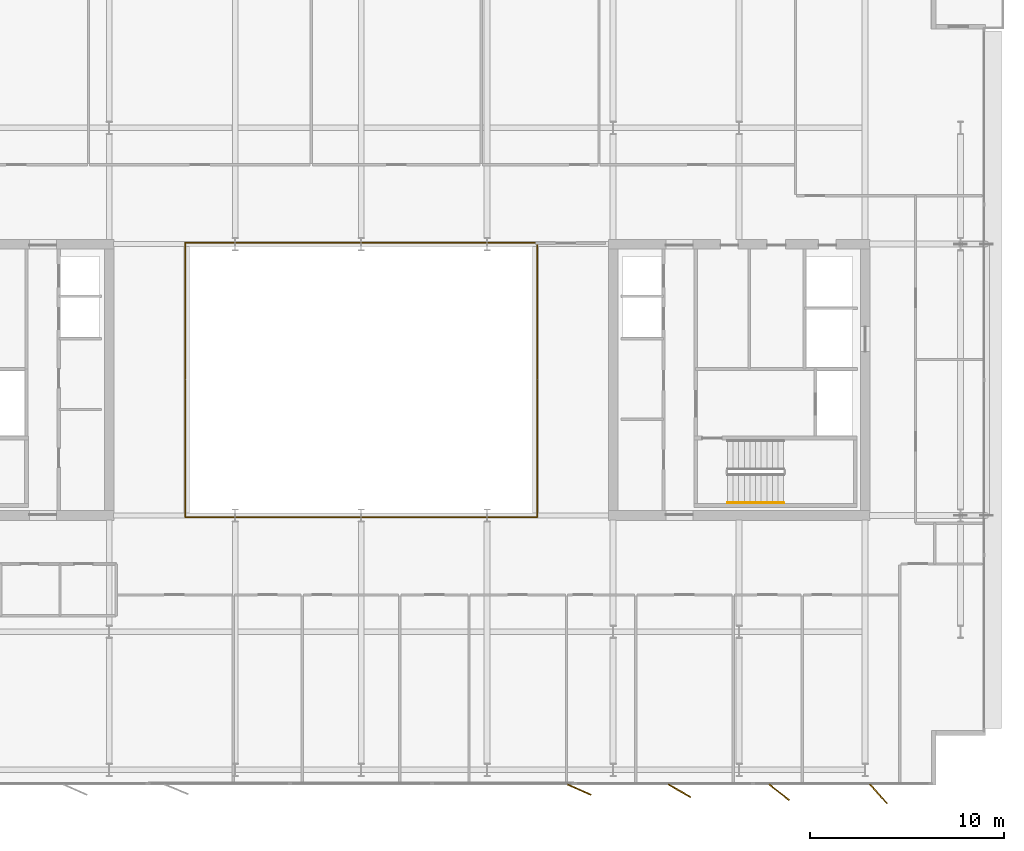
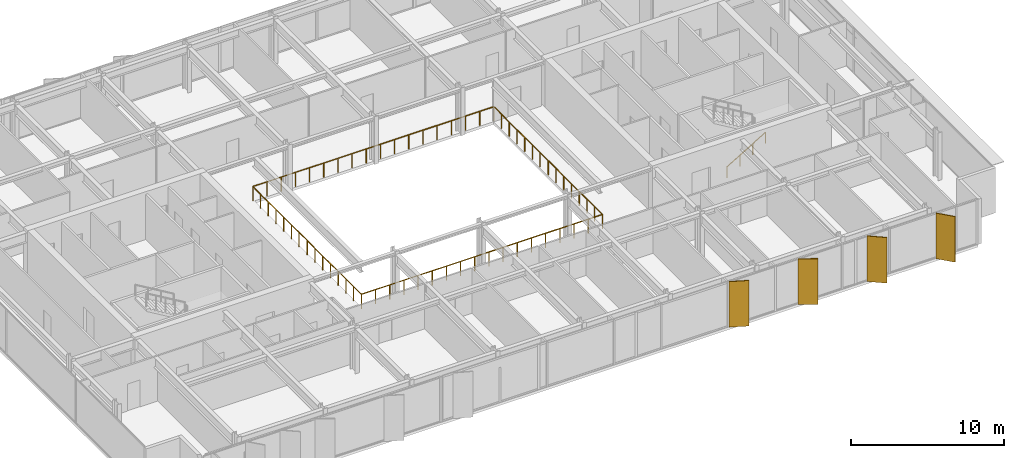
# One storey, part 17 of 19: 4 shading devices, 3 railings.
"""IFC4 building model written with IfcOpenShell, lengths in metres."""

from ifc_helpers import new_model, si_unit, direction, frame, origin, origin_2d, place, context, subcontext, project, spatial, rectangle, circle, extrude, material, layer, layer_set, type_object, element, save


model = new_model("IFC4")

# Units and contexts
model_context = context("Model", 3, precision=1e-05, world=origin(), true_north=direction((0.0, 1.0)))
body_context = subcontext(model_context, "Body", "Model", "MODEL_VIEW")
ifc_project = project(units=[si_unit("LENGTHUNIT", "METRE"), si_unit("AREAUNIT", "SQUARE_METRE"), si_unit("VOLUMEUNIT", "CUBIC_METRE"), si_unit("PLANEANGLEUNIT", "RADIAN"), si_unit("MASSUNIT", "GRAM", prefix="KILO")], contexts=[model_context])

# Site, building, storey
site_placement = place(None, origin())
site = spatial("IfcSite", under=ifc_project, at=site_placement, CompositionType="ELEMENT")
building_placement = place(site_placement, origin())
building = spatial("IfcBuilding", under=site, at=building_placement, Name="Putna Gate Headquarters", CompositionType="ELEMENT")
storey_placement = place(building_placement, frame((0.0, 0.0, 267.0)))
storey = spatial("IfcBuildingStorey", under=building, at=storey_placement, Name="L67", CompositionType="ELEMENT", Elevation=267.0)

# Railings
ifc_material_1 = material(Name="Anodised bronze and laminated glass atrium balustrade", Category="glass")
railing_type_1 = type_object("IfcRailingType", Name="RAIL-ATRIUM-GUARD-1150", PredefinedType="GUARDRAIL", material=ifc_material_1)
railing_1_placement = place(storey_placement, frame((29.919921875, 25.969970703125, 0.0)))
element("IfcRailing", 1, at=railing_1_placement, inside=storey, type_object=railing_type_1, Name="L67 Central Atrium Glazed Balustrade South", PredefinedType="GUARDRAIL", context=body_context, shape_type="SweptSolid", body=[
    extrude(circle(Radius=0.02392578125, at=origin_2d()), frame((0.0, 0.0, 1.1259765625), z_axis=(0.0, -1.0, 0.0), x_axis=(1.0, 0.0, 0.0)), (0.0, 0.0, 1.0), 7.050048828125),
    extrude(circle(Radius=0.02392578125, at=origin_2d()), frame((0.0, -7.050048828125, 1.1259765625), z_axis=(1.0, 0.0, 0.0), x_axis=(0.0, 1.0, 0.0)), (0.0, 0.0, 1.0), 18.16015625),
    extrude(circle(Radius=0.02392578125, at=origin_2d()), frame((18.16015625, -7.050048828125, 1.1259765625), z_axis=(0.0, 1.0, 0.0), x_axis=(-1.0, 0.0, 0.0)), (0.0, 0.0, 1.0), 7.050048828125),
    extrude(circle(Radius=0.02099609375, at=origin_2d()), origin(), (0.0, 0.0, 1.0), 1.101806640625),
    extrude(circle(Radius=0.02099609375, at=origin_2d()), frame((0.0, -1.007080078125, 0.0)), (0.0, 0.0, 1.0), 1.101806640625),
    extrude(circle(Radius=0.02099609375, at=origin_2d()), frame((0.0, -2.014404296875, 0.0)), (0.0, 0.0, 1.0), 1.101806640625),
    extrude(circle(Radius=0.02099609375, at=origin_2d()), frame((0.0, -3.021484375, 0.0)), (0.0, 0.0, 1.0), 1.101806640625),
    extrude(circle(Radius=0.02099609375, at=origin_2d()), frame((0.0, -4.028564453125, 0.0)), (0.0, 0.0, 1.0), 1.101806640625),
    extrude(circle(Radius=0.02099609375, at=origin_2d()), frame((0.0, -5.03564453125, 0.0)), (0.0, 0.0, 1.0), 1.101806640625),
    extrude(circle(Radius=0.02099609375, at=origin_2d()), frame((0.0, -6.04296875, 0.0)), (0.0, 0.0, 1.0), 1.101806640625),
    extrude(circle(Radius=0.02099609375, at=origin_2d()), frame((0.0, -7.050048828125, 0.0)), (0.0, 0.0, 1.0), 1.101806640625),
    extrude(circle(Radius=0.02099609375, at=origin_2d()), frame((1.068359375, -7.050048828125, 0.0)), (0.0, 0.0, 1.0), 1.101806640625),
    extrude(circle(Radius=0.02099609375, at=origin_2d()), frame((2.136474609375, -7.050048828125, 0.0)), (0.0, 0.0, 1.0), 1.101806640625),
    extrude(circle(Radius=0.02099609375, at=origin_2d()), frame((3.204833984375, -7.050048828125, 0.0)), (0.0, 0.0, 1.0), 1.101806640625),
    extrude(circle(Radius=0.02099609375, at=origin_2d()), frame((4.27294921875, -7.050048828125, 0.0)), (0.0, 0.0, 1.0), 1.101806640625),
    extrude(circle(Radius=0.02099609375, at=origin_2d()), frame((5.34130859375, -7.050048828125, 0.0)), (0.0, 0.0, 1.0), 1.101806640625),
    extrude(circle(Radius=0.02099609375, at=origin_2d()), frame((6.409423828125, -7.050048828125, 0.0)), (0.0, 0.0, 1.0), 1.101806640625),
    extrude(circle(Radius=0.02099609375, at=origin_2d()), frame((7.477783203125, -7.050048828125, 0.0)), (0.0, 0.0, 1.0), 1.101806640625),
    extrude(circle(Radius=0.02099609375, at=origin_2d()), frame((8.5458984375, -7.050048828125, 0.0)), (0.0, 0.0, 1.0), 1.101806640625),
    extrude(circle(Radius=0.02099609375, at=origin_2d()), frame((9.6142578125, -7.050048828125, 0.0)), (0.0, 0.0, 1.0), 1.101806640625),
    extrude(circle(Radius=0.02099609375, at=origin_2d()), frame((10.682373046875, -7.050048828125, 0.0)), (0.0, 0.0, 1.0), 1.101806640625),
    extrude(circle(Radius=0.02099609375, at=origin_2d()), frame((11.750732421875, -7.050048828125, 0.0)), (0.0, 0.0, 1.0), 1.101806640625),
    extrude(circle(Radius=0.02099609375, at=origin_2d()), frame((12.81884765625, -7.050048828125, 0.0)), (0.0, 0.0, 1.0), 1.101806640625),
    extrude(circle(Radius=0.02099609375, at=origin_2d()), frame((13.88720703125, -7.050048828125, 0.0)), (0.0, 0.0, 1.0), 1.101806640625),
    extrude(circle(Radius=0.02099609375, at=origin_2d()), frame((14.955322265625, -7.050048828125, 0.0)), (0.0, 0.0, 1.0), 1.101806640625),
    extrude(circle(Radius=0.02099609375, at=origin_2d()), frame((16.023681640625, -7.050048828125, 0.0)), (0.0, 0.0, 1.0), 1.101806640625),
    extrude(circle(Radius=0.02099609375, at=origin_2d()), frame((17.091796875, -7.050048828125, 0.0)), (0.0, 0.0, 1.0), 1.101806640625),
    extrude(circle(Radius=0.02099609375, at=origin_2d()), frame((18.16015625, -7.050048828125, 0.0)), (0.0, 0.0, 1.0), 1.101806640625),
    extrude(circle(Radius=0.02099609375, at=origin_2d()), frame((18.16015625, -6.04296875, 0.0)), (0.0, 0.0, 1.0), 1.101806640625),
    extrude(circle(Radius=0.02099609375, at=origin_2d()), frame((18.16015625, -5.03564453125, 0.0)), (0.0, 0.0, 1.0), 1.101806640625),
    extrude(circle(Radius=0.02099609375, at=origin_2d()), frame((18.16015625, -4.028564453125, 0.0)), (0.0, 0.0, 1.0), 1.101806640625),
    extrude(circle(Radius=0.02099609375, at=origin_2d()), frame((18.16015625, -3.021484375, 0.0)), (0.0, 0.0, 1.0), 1.101806640625),
    extrude(circle(Radius=0.02099609375, at=origin_2d()), frame((18.16015625, -2.014404296875, 0.0)), (0.0, 0.0, 1.0), 1.101806640625),
    extrude(circle(Radius=0.02099609375, at=origin_2d()), frame((18.16015625, -1.007080078125, 0.0)), (0.0, 0.0, 1.0), 1.101806640625),
    extrude(circle(Radius=0.02099609375, at=origin_2d()), frame((18.16015625, 0.0, 0.0)), (0.0, 0.0, 1.0), 1.101806640625),
])
railing_2_placement = place(storey_placement, frame((48.080078125, 26.030029296875, 0.0)))
element("IfcRailing", 2, at=railing_2_placement, inside=storey, type_object=railing_type_1, Name="L67 Central Atrium Glazed Balustrade North", PredefinedType="GUARDRAIL", context=body_context, shape_type="SweptSolid", body=[
    extrude(circle(Radius=0.02392578125, at=origin_2d()), frame((0.0, 0.0, 1.1259765625), z_axis=(0.0, 1.0, 0.0), x_axis=(-1.0, 0.0, 0.0)), (0.0, 0.0, 1.0), 7.050048828125),
    extrude(circle(Radius=0.02392578125, at=origin_2d()), frame((0.0, 7.050048828125, 1.1259765625), z_axis=(-1.0, 0.0, 0.0), x_axis=(0.0, -1.0, 0.0)), (0.0, 0.0, 1.0), 18.16015625),
    extrude(circle(Radius=0.02392578125, at=origin_2d()), frame((-18.16015625, 7.050048828125, 1.1259765625), z_axis=(0.0, -1.0, 0.0), x_axis=(1.0, 0.0, 0.0)), (0.0, 0.0, 1.0), 7.050048828125),
    extrude(circle(Radius=0.02099609375, at=origin_2d()), origin(), (0.0, 0.0, 1.0), 1.101806640625),
    extrude(circle(Radius=0.02099609375, at=origin_2d()), frame((0.0, 1.007080078125, 0.0)), (0.0, 0.0, 1.0), 1.101806640625),
    extrude(circle(Radius=0.02099609375, at=origin_2d()), frame((0.0, 2.014404296875, 0.0)), (0.0, 0.0, 1.0), 1.101806640625),
    extrude(circle(Radius=0.02099609375, at=origin_2d()), frame((0.0, 3.021484375, 0.0)), (0.0, 0.0, 1.0), 1.101806640625),
    extrude(circle(Radius=0.02099609375, at=origin_2d()), frame((0.0, 4.028564453125, 0.0)), (0.0, 0.0, 1.0), 1.101806640625),
    extrude(circle(Radius=0.02099609375, at=origin_2d()), frame((0.0, 5.03564453125, 0.0)), (0.0, 0.0, 1.0), 1.101806640625),
    extrude(circle(Radius=0.02099609375, at=origin_2d()), frame((0.0, 6.04296875, 0.0)), (0.0, 0.0, 1.0), 1.101806640625),
    extrude(circle(Radius=0.02099609375, at=origin_2d()), frame((0.0, 7.050048828125, 0.0)), (0.0, 0.0, 1.0), 1.101806640625),
    extrude(circle(Radius=0.02099609375, at=origin_2d()), frame((-1.068359375, 7.050048828125, 0.0)), (0.0, 0.0, 1.0), 1.101806640625),
    extrude(circle(Radius=0.02099609375, at=origin_2d()), frame((-2.136474609375, 7.050048828125, 0.0)), (0.0, 0.0, 1.0), 1.101806640625),
    extrude(circle(Radius=0.02099609375, at=origin_2d()), frame((-3.204833984375, 7.050048828125, 0.0)), (0.0, 0.0, 1.0), 1.101806640625),
    extrude(circle(Radius=0.02099609375, at=origin_2d()), frame((-4.27294921875, 7.050048828125, 0.0)), (0.0, 0.0, 1.0), 1.101806640625),
    extrude(circle(Radius=0.02099609375, at=origin_2d()), frame((-5.34130859375, 7.050048828125, 0.0)), (0.0, 0.0, 1.0), 1.101806640625),
    extrude(circle(Radius=0.02099609375, at=origin_2d()), frame((-6.409423828125, 7.050048828125, 0.0)), (0.0, 0.0, 1.0), 1.101806640625),
    extrude(circle(Radius=0.02099609375, at=origin_2d()), frame((-7.477783203125, 7.050048828125, 0.0)), (0.0, 0.0, 1.0), 1.101806640625),
    extrude(circle(Radius=0.02099609375, at=origin_2d()), frame((-8.5458984375, 7.050048828125, 0.0)), (0.0, 0.0, 1.0), 1.101806640625),
    extrude(circle(Radius=0.02099609375, at=origin_2d()), frame((-9.6142578125, 7.050048828125, 0.0)), (0.0, 0.0, 1.0), 1.101806640625),
    extrude(circle(Radius=0.02099609375, at=origin_2d()), frame((-10.682373046875, 7.050048828125, 0.0)), (0.0, 0.0, 1.0), 1.101806640625),
    extrude(circle(Radius=0.02099609375, at=origin_2d()), frame((-11.750732421875, 7.050048828125, 0.0)), (0.0, 0.0, 1.0), 1.101806640625),
    extrude(circle(Radius=0.02099609375, at=origin_2d()), frame((-12.81884765625, 7.050048828125, 0.0)), (0.0, 0.0, 1.0), 1.101806640625),
    extrude(circle(Radius=0.02099609375, at=origin_2d()), frame((-13.88720703125, 7.050048828125, 0.0)), (0.0, 0.0, 1.0), 1.101806640625),
    extrude(circle(Radius=0.02099609375, at=origin_2d()), frame((-14.955322265625, 7.050048828125, 0.0)), (0.0, 0.0, 1.0), 1.101806640625),
    extrude(circle(Radius=0.02099609375, at=origin_2d()), frame((-16.023681640625, 7.050048828125, 0.0)), (0.0, 0.0, 1.0), 1.101806640625),
    extrude(circle(Radius=0.02099609375, at=origin_2d()), frame((-17.091796875, 7.050048828125, 0.0)), (0.0, 0.0, 1.0), 1.101806640625),
    extrude(circle(Radius=0.02099609375, at=origin_2d()), frame((-18.16015625, 7.050048828125, 0.0)), (0.0, 0.0, 1.0), 1.101806640625),
    extrude(circle(Radius=0.02099609375, at=origin_2d()), frame((-18.16015625, 6.04296875, 0.0)), (0.0, 0.0, 1.0), 1.101806640625),
    extrude(circle(Radius=0.02099609375, at=origin_2d()), frame((-18.16015625, 5.03564453125, 0.0)), (0.0, 0.0, 1.0), 1.101806640625),
    extrude(circle(Radius=0.02099609375, at=origin_2d()), frame((-18.16015625, 4.028564453125, 0.0)), (0.0, 0.0, 1.0), 1.101806640625),
    extrude(circle(Radius=0.02099609375, at=origin_2d()), frame((-18.16015625, 3.021484375, 0.0)), (0.0, 0.0, 1.0), 1.101806640625),
    extrude(circle(Radius=0.02099609375, at=origin_2d()), frame((-18.16015625, 2.014404296875, 0.0)), (0.0, 0.0, 1.0), 1.101806640625),
    extrude(circle(Radius=0.02099609375, at=origin_2d()), frame((-18.16015625, 1.007080078125, 0.0)), (0.0, 0.0, 1.0), 1.101806640625),
    extrude(circle(Radius=0.02099609375, at=origin_2d()), frame((-18.16015625, 0.0, 0.0)), (0.0, 0.0, 1.0), 1.101806640625),
])
ifc_material_2 = material(Name="Brushed stainless steel handrail", Category="steel")
railing_type_2 = type_object("IfcRailingType", Name="RAIL-STAIR-HAND-900", PredefinedType="HANDRAIL", material=ifc_material_2)
railing_3_placement = place(storey_placement, frame((57.89990234375, 19.64990234375, 0.172607421875)))
element("IfcRailing", 3, at=railing_3_placement, inside=storey, type_object=railing_type_2, Name="L67 ST2 stair handrail 1", PredefinedType="HANDRAIL", context=body_context, shape_type="SweptSolid", body=[
    extrude(circle(Radius=0.02392578125, at=origin_2d()), frame((0.0, 0.0, 0.8759765625), z_axis=(0.859160404282, 0.0, 0.51170636083), x_axis=(0.0, 1.0, 0.0)), (0.0, 0.0, 1.0), 3.37548828125),
    extrude(circle(Radius=0.02099609375, at=origin_2d()), origin(), (0.0, 0.0, 1.0), 0.851806640625),
    extrude(circle(Radius=0.02099609375, at=origin_2d()), frame((0.966796875, 0.0, 0.57568359375)), (0.0, 0.0, 1.0), 0.851806640625),
    extrude(circle(Radius=0.02099609375, at=origin_2d()), frame((1.933349609375, 0.0, 1.151611328125)), (0.0, 0.0, 1.0), 0.851806640625),
    extrude(circle(Radius=0.02099609375, at=origin_2d()), frame((2.900146484375, 0.0, 1.727294921875)), (0.0, 0.0, 1.0), 0.851806640625),
])

# Shading devices
ifc_material_3 = material(Name="Anodised architectural bronze aluminium fin", Category="aluminium")
ifc_layer = layer(ifc_material_3, 0.06494140625)
ifc_layer_set = layer_set([ifc_layer], Name="Anodised architectural bronze aluminium fin")
shading_device_type = type_object("IfcShadingDeviceType", Name="SHADE-BRONZE-FIN-1320", PredefinedType="USERDEFINED", material=ifc_layer_set)
for number, where, z_axis, x_axis, name in (
    (4, (50.2529296875, 4.856689453125, -0.02001953125), (0.0, 0.0, 1.0), (0.913687379856, -0.40641773078, 0.0), "L67 Bronze Vertical Shading Fin S7"),
    (5, (55.423828125, 4.798828125, -0.02001953125), (0.0, 0.0, 1.0), (0.869322458298, -0.494245347472, 0.0), "L67 Bronze Vertical Shading Fin S8"),
    (6, (60.569580078125, 4.71826171875, -0.02001953125), (0.0, 0.0, 1.0), (0.787473187632, -0.616348909921, 0.0), "L67 Bronze Vertical Shading Fin S9"),
    (7, (65.691650390625, 4.634521484375, -0.02001953125), (0.0, 0.0, 1.0), (0.669130606359, -0.743144825477, 0.0), "L67 Bronze Vertical Shading Fin S10"),
):
    element("IfcShadingDevice", number, at=place(storey_placement, frame(where, z_axis=z_axis, x_axis=x_axis)), inside=storey, type_object=shading_device_type, Name=name, ObjectType="FIN", PredefinedType="USERDEFINED", context=body_context, shape_type="SweptSolid", body=[
        extrude(rectangle(XDim=1.320068359375, YDim=0.06494140625, at=origin_2d()), origin(), (0.0, 0.0, 1.0), 3.6279296875),
    ])

save(model, "model.ifc")
